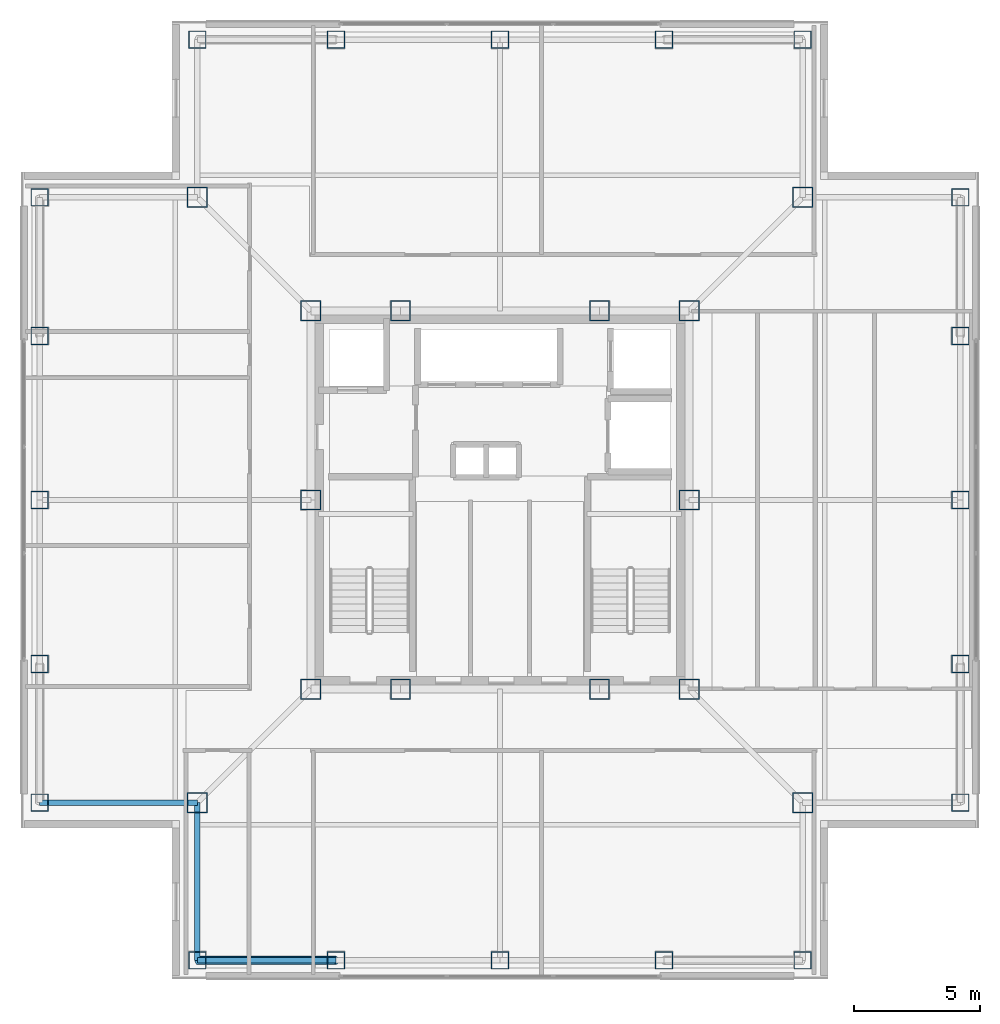
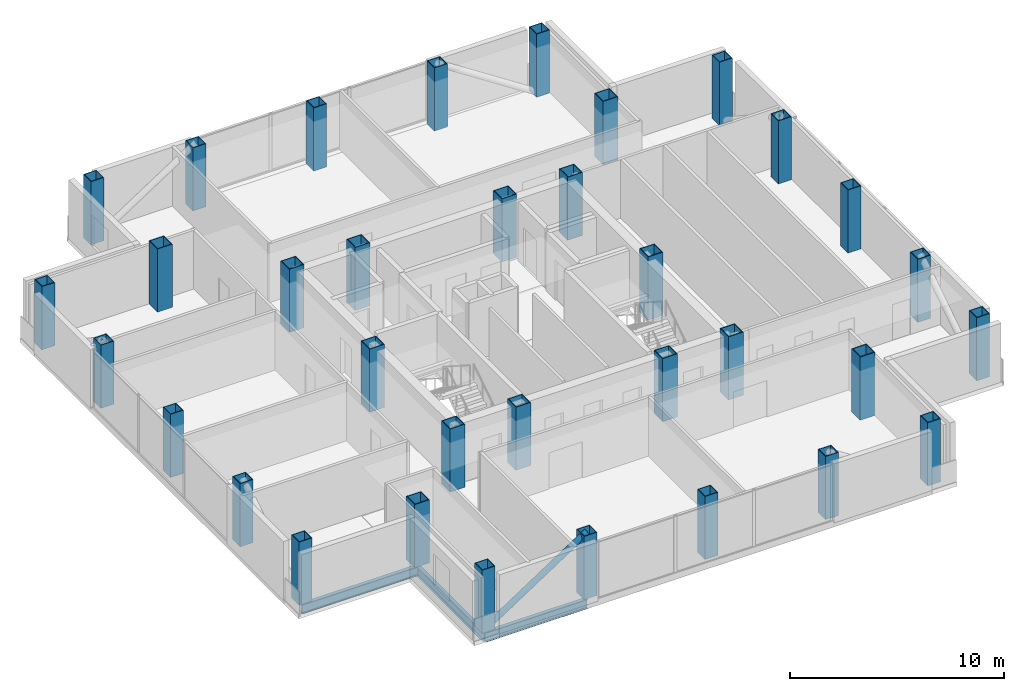
# One storey, part 1 of 16: 34 columns, 3 beams, 1 member.
"""IFC4 building model written with IfcOpenShell, lengths in metres."""

from ifc_helpers import new_model, si_unit, direction, frame, origin, origin_2d, place, context, subcontext, project, spatial, hollow_rectangle, hollow_circle, i_section, extrude, material, material_profile, profile_set, type_object, element, save


model = new_model("IFC4")

# Units and contexts
model_context = context("Model", 3, precision=1e-05, world=origin(), true_north=direction((0.0, 1.0)))
body_context = subcontext(model_context, "Body", "Model", "MODEL_VIEW")
ifc_project = project(units=[si_unit("LENGTHUNIT", "METRE"), si_unit("AREAUNIT", "SQUARE_METRE"), si_unit("VOLUMEUNIT", "CUBIC_METRE"), si_unit("PLANEANGLEUNIT", "RADIAN"), si_unit("MASSUNIT", "GRAM", prefix="KILO")], contexts=[model_context])

# Site, building, storey
site_placement = place(None, origin())
site = spatial("IfcSite", under=ifc_project, at=site_placement, CompositionType="ELEMENT")
building_placement = place(site_placement, origin())
building = spatial("IfcBuilding", under=site, at=building_placement, Name="Trevonay Congress Spire", CompositionType="ELEMENT")
storey_placement = place(building_placement, frame((0.0, 0.0, 279.199951171875)))
storey = spatial("IfcBuildingStorey", under=building, at=storey_placement, Name="L73", CompositionType="ELEMENT", Elevation=279.199951171875)

# Columns
ifc_material_1 = material(Name="Steel ASTM A572 Grade 50", Category="steel")
ifc_material_profile_1 = material_profile(ifc_material_1, hollow_rectangle(XDim=0.800048828125, YDim=0.800048828125, WallThickness=0.0400390625, at=origin_2d()), Name="BOX 800x800x40")
ifc_profile_set_1 = profile_set([ifc_material_profile_1], Name="Steel ASTM A572 Grade 50")
column_type_1 = type_object("IfcColumnType", Name="COL-CORE-BOX800", PredefinedType="COLUMN", material=ifc_profile_set_1)
for number, where, z_axis, x_axis, name in (
    (1, (-7.5, -7.5, 0.0), (0.0, 0.0, 1.0), (1.0, 0.0, 0.0), "L73 column C05 at CC-SW"),
    (2, (-3.949951171875, -7.5, 0.0), (0.0, 0.0, 1.0), (1.0, 0.0, 0.0), "L73 column C05 at CC-SMW"),
    (3, (3.949951171875, -7.5, 0.0), (0.0, 0.0, 1.0), (1.0, 0.0, 0.0), "L73 column C05 at CC-SME"),
    (4, (7.5, -7.5, 0.0), (0.0, 0.0, 1.0), (1.0, 0.0, 0.0), "L73 column C05 at CC-SE"),
    (5, (7.5, 0.0, 0.0), (0.0, 0.0, 1.0), (1.0, 0.0, 0.0), "L73 column C05 at CC-E"),
    (6, (7.5, 7.5, 0.0), (0.0, 0.0, 1.0), (1.0, 0.0, 0.0), "L73 column C05 at CC-NE"),
    (7, (3.949951171875, 7.5, 0.0), (0.0, 0.0, 1.0), (1.0, 0.0, 0.0), "L73 column C05 at CC-NME"),
    (8, (-3.949951171875, 7.5, 0.0), (0.0, 0.0, 1.0), (1.0, 0.0, 0.0), "L73 column C05 at CC-NMW"),
    (9, (-7.5, 7.5, 0.0), (0.0, 0.0, 1.0), (1.0, 0.0, 0.0), "L73 column C05 at CC-NW"),
    (10, (-7.5, 0.0, 0.0), (0.0, 0.0, 1.0), (1.0, 0.0, 0.0), "L73 column C05 at CC-W"),
):
    element("IfcColumn", number, at=place(storey_placement, frame(where, z_axis=z_axis, x_axis=x_axis)), inside=storey, type_object=column_type_1, Name=name, PredefinedType="COLUMN", context=body_context, shape_type="SweptSolid", body=[
        extrude(hollow_rectangle(XDim=0.800048828125, YDim=0.800048828125, WallThickness=0.0400390625, at=origin_2d()), origin(), (0.0, 0.0, 1.0), 3.60009765625),
    ])
ifc_material_profile_2 = material_profile(ifc_material_1, hollow_rectangle(XDim=0.699951171875, YDim=0.699951171875, WallThickness=0.034912109375, at=origin_2d()), Name="BOX 700x700x35")
ifc_profile_set_2 = profile_set([ifc_material_profile_2], Name="Steel ASTM A572 Grade 50")
column_type_2 = type_object("IfcColumnType", Name="COL-TUBE-BOX700", PredefinedType="COLUMN", material=ifc_profile_set_2)
for number, where, z_axis, x_axis, name in (
    (11, (-12.0, -18.25, 0.0), (0.0, 0.0, 1.0), (1.0, 0.0, 0.0), "L73 column C17 at TS-1"),
    (12, (-12.0, 18.25, 0.0), (0.0, 0.0, 1.0), (1.0, 0.0, 0.0), "L73 column C17 at TN-1"),
    (13, (-18.25, -12.0, 0.0), (0.0, 0.0, 1.0), (1.0, 0.0, 0.0), "L73 column C17 at TW-1"),
    (14, (18.25, -12.0, 0.0), (0.0, 0.0, 1.0), (1.0, 0.0, 0.0), "L73 column C17 at TE-1"),
    (15, (-6.5, -18.25, 0.0), (0.0, 0.0, 1.0), (1.0, 0.0, 0.0), "L73 column C17 at TS-2"),
    (16, (-6.5, 18.25, 0.0), (0.0, 0.0, 1.0), (1.0, 0.0, 0.0), "L73 column C17 at TN-2"),
    (17, (-18.25, -6.5, 0.0), (0.0, 0.0, 1.0), (1.0, 0.0, 0.0), "L73 column C17 at TW-2"),
    (18, (18.25, -6.5, 0.0), (0.0, 0.0, 1.0), (1.0, 0.0, 0.0), "L73 column C17 at TE-2"),
    (19, (0.0, -18.25, 0.0), (0.0, 0.0, 1.0), (1.0, 0.0, 0.0), "L73 column C17 at TS-3"),
    (20, (0.0, 18.25, 0.0), (0.0, 0.0, 1.0), (1.0, 0.0, 0.0), "L73 column C17 at TN-3"),
    (21, (-18.25, 0.0, 0.0), (0.0, 0.0, 1.0), (1.0, 0.0, 0.0), "L73 column C17 at TW-3"),
    (22, (18.25, 0.0, 0.0), (0.0, 0.0, 1.0), (1.0, 0.0, 0.0), "L73 column C17 at TE-3"),
    (23, (6.5, -18.25, 0.0), (0.0, 0.0, 1.0), (1.0, 0.0, 0.0), "L73 column C17 at TS-4"),
    (24, (6.5, 18.25, 0.0), (0.0, 0.0, 1.0), (1.0, 0.0, 0.0), "L73 column C17 at TN-4"),
    (25, (-18.25, 6.5, 0.0), (0.0, 0.0, 1.0), (1.0, 0.0, 0.0), "L73 column C17 at TW-4"),
    (26, (18.25, 6.5, 0.0), (0.0, 0.0, 1.0), (1.0, 0.0, 0.0), "L73 column C17 at TE-4"),
    (27, (12.0, -18.25, 0.0), (0.0, 0.0, 1.0), (1.0, 0.0, 0.0), "L73 column C17 at TS-5"),
    (28, (12.0, 18.25, 0.0), (0.0, 0.0, 1.0), (1.0, 0.0, 0.0), "L73 column C17 at TN-5"),
    (29, (-18.25, 12.0, 0.0), (0.0, 0.0, 1.0), (1.0, 0.0, 0.0), "L73 column C17 at TW-5"),
    (30, (18.25, 12.0, 0.0), (0.0, 0.0, 1.0), (1.0, 0.0, 0.0), "L73 column C17 at TE-5"),
):
    element("IfcColumn", number, at=place(storey_placement, frame(where, z_axis=z_axis, x_axis=x_axis)), inside=storey, type_object=column_type_2, Name=name, PredefinedType="COLUMN", context=body_context, shape_type="SweptSolid", body=[
        extrude(hollow_rectangle(XDim=0.699951171875, YDim=0.699951171875, WallThickness=0.034912109375, at=origin_2d()), origin(), (0.0, 0.0, 1.0), 3.60009765625),
    ])
ifc_material_profile_3 = material_profile(ifc_material_1, hollow_rectangle(XDim=0.800048828125, YDim=0.800048828125, WallThickness=0.0400390625, at=origin_2d()), Name="BOX 800x800x40")
ifc_profile_set_3 = profile_set([ifc_material_profile_3], Name="Steel ASTM A572 Grade 50")
column_type_3 = type_object("IfcColumnType", Name="COL-TUBE-BOX800", PredefinedType="COLUMN", material=ifc_profile_set_3)
for number, where, z_axis, x_axis, name in (
    (31, (-12.0, -12.0, 0.0), (0.0, 0.0, 1.0), (1.0, 0.0, 0.0), "L73 column C16 at NC-SW"),
    (32, (12.0, -12.0, 0.0), (0.0, 0.0, 1.0), (1.0, 0.0, 0.0), "L73 column C16 at NC-SE"),
    (33, (12.0, 12.0, 0.0), (0.0, 0.0, 1.0), (1.0, 0.0, 0.0), "L73 column C16 at NC-NE"),
    (34, (-12.0, 12.0, 0.0), (0.0, 0.0, 1.0), (1.0, 0.0, 0.0), "L73 column C16 at NC-NW"),
):
    element("IfcColumn", number, at=place(storey_placement, frame(where, z_axis=z_axis, x_axis=x_axis)), inside=storey, type_object=column_type_3, Name=name, PredefinedType="COLUMN", context=body_context, shape_type="SweptSolid", body=[
        extrude(hollow_rectangle(XDim=0.800048828125, YDim=0.800048828125, WallThickness=0.0400390625, at=origin_2d()), origin(), (0.0, 0.0, 1.0), 3.60009765625),
    ])

# Beams
ifc_material_profile_4 = material_profile(ifc_material_1, i_section(OverallWidth=0.208984375, OverallDepth=0.532958984375, WebThickness=0.01025390625, FlangeThickness=0.015625, FilletRadius=0.014892578125, at=origin_2d()), Name="W530x92")
ifc_profile_set_4 = profile_set([ifc_material_profile_4], Name="Steel ASTM A572 Grade 50")
beam_type = type_object("IfcBeamType", Name="BM-RING-W530X92", PredefinedType="BEAM", material=ifc_profile_set_4)
beam_placement = place(storey_placement, frame((-12.0, -18.25, -0.50634765625), z_axis=(1.0, 0.0, 0.0), x_axis=(0.0, 1.0, 0.0)))
element("IfcBeam", 35, at=beam_placement, inside=storey, type_object=beam_type, Name="L73 structural beam BM-L73-PS1", PredefinedType="BEAM", context=body_context, shape_type="SweptSolid", body=[
    extrude(i_section(OverallWidth=0.208984375, OverallDepth=0.532958984375, WebThickness=0.01025390625, FlangeThickness=0.015625, FilletRadius=0.014892578125, at=origin_2d()), origin(), (0.0, 0.0, 1.0), 5.5),
])
for number, where, z_axis, x_axis, name in (
    (36, (-12.0, -18.25, -0.50634765625), (0.0, 1.0, 0.0), (-1.0, 0.0, 0.0), "L73 structural beam BM-L73-N1SW"),
    (37, (-18.25, -12.0, -0.50634765625), (1.0, 0.0, 0.0), (0.0, 1.0, 0.0), "L73 structural beam BM-L73-N2SW"),
):
    element("IfcBeam", number, at=place(storey_placement, frame(where, z_axis=z_axis, x_axis=x_axis)), inside=storey, type_object=beam_type, Name=name, PredefinedType="BEAM", context=body_context, shape_type="SweptSolid", body=[
        extrude(i_section(OverallWidth=0.208984375, OverallDepth=0.532958984375, WebThickness=0.01025390625, FlangeThickness=0.015625, FilletRadius=0.014892578125, at=origin_2d()), origin(), (0.0, 0.0, 1.0), 6.25),
    ])

# Member
ifc_material_2 = material(Name="Steel ASTM A500 Grade C", Category="steel")
ifc_material_profile_5 = material_profile(ifc_material_2, hollow_circle(Radius=0.161865234375, WallThickness=0.01611328125, at=origin_2d()), Name="CHS 323.9x16")
ifc_profile_set_5 = profile_set([ifc_material_profile_5], Name="Steel ASTM A500 Grade C")
member_type = type_object("IfcMemberType", Name="MBR-TUBE-CHS324", PredefinedType="BRACE", material=ifc_profile_set_5)
member_placement = place(storey_placement, frame((-12.0, -18.25, -0.050048828125), z_axis=(0.836694709366, 0.0, 0.547669574943), x_axis=(0.0, 1.0, 0.0)))
element("IfcMember", 38, at=member_placement, inside=storey, type_object=member_type, Name="L73 perimeter braced-tube diagonal S0", PredefinedType="BRACE", context=body_context, shape_type="SweptSolid", body=[
    extrude(hollow_circle(Radius=0.161865234375, WallThickness=0.01611328125, at=origin_2d()), origin(), (0.0, 0.0, 1.0), 6.573486328125),
])

save(model, "model.ifc")
